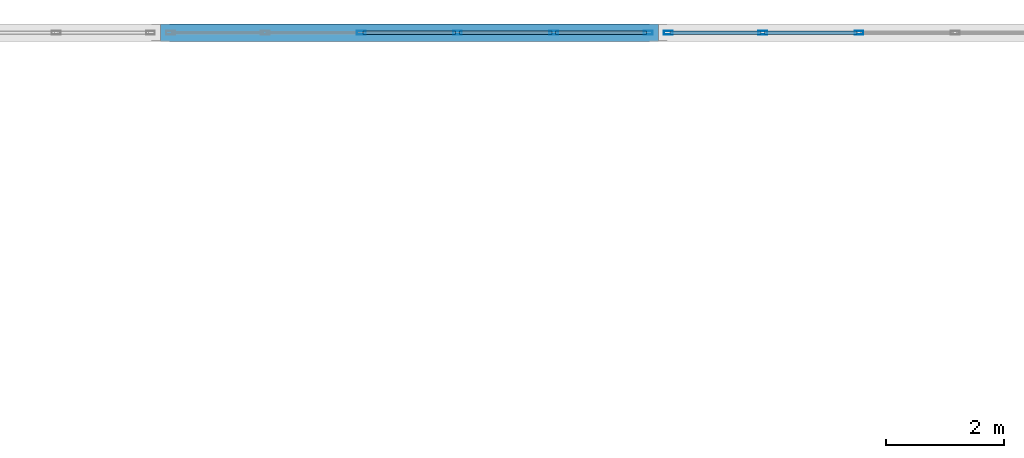
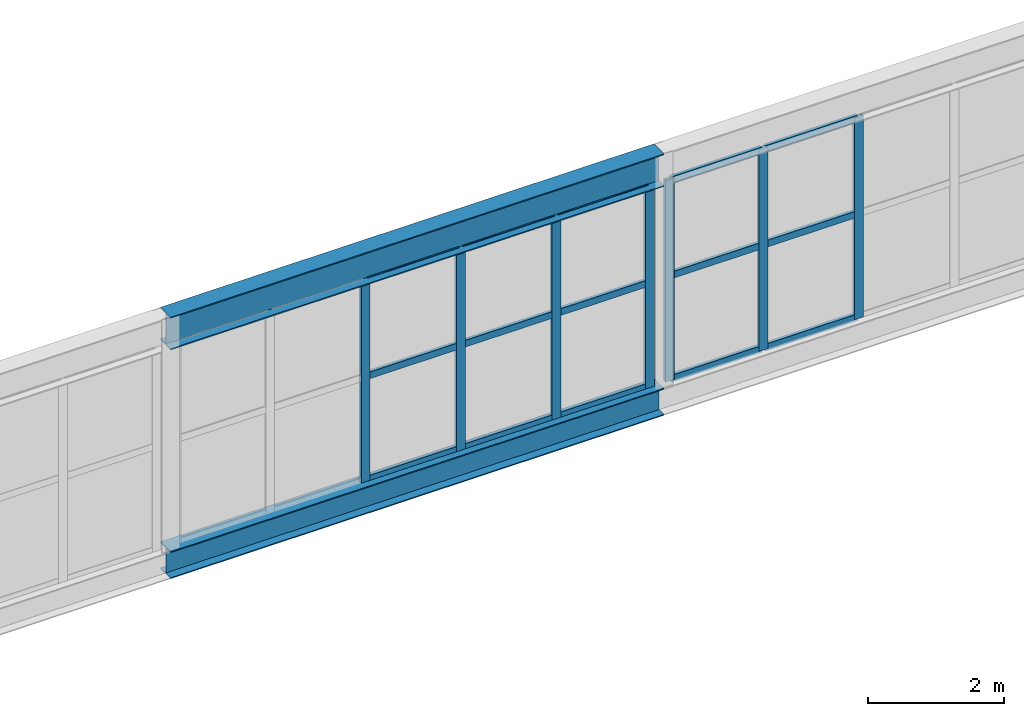
# One storey, part 171 of 218: 22 members, 2 beams, 2 elements without a shape of their own.
"""IFC4 building model written with IfcOpenShell, lengths in metres."""

from ifc_helpers import new_model, si_unit, direction, frame, origin, origin_2d, place, context, subcontext, project, spatial, hollow_rectangle, i_section, extrude, material, material_profile, profile_set, type_object, element, aggregate, save


model = new_model("IFC4")

# Units and contexts
model_context = context("Model", 3, precision=1e-05, world=origin(), true_north=direction((0.0, 1.0)))
body_context = subcontext(model_context, "Body", "Model", "MODEL_VIEW")
ifc_project = project(units=[si_unit("LENGTHUNIT", "METRE"), si_unit("AREAUNIT", "SQUARE_METRE"), si_unit("VOLUMEUNIT", "CUBIC_METRE"), si_unit("PLANEANGLEUNIT", "RADIAN"), si_unit("MASSUNIT", "GRAM", prefix="KILO")], contexts=[model_context])

# Site, building, storey
site_placement = place(None, origin())
site = spatial("IfcSite", under=ifc_project, at=site_placement, CompositionType="ELEMENT")
building_placement = place(site_placement, origin())
building = spatial("IfcBuilding", under=site, at=building_placement, Name="Kazenagashi Tramway Depot", CompositionType="ELEMENT")
storey_placement = place(building_placement, frame((0.0, 0.0, 6.0)))
storey = spatial("IfcBuildingStorey", under=building, at=storey_placement, Name="L02", CompositionType="ELEMENT", Elevation=6.0)

# Curtain wall, members
ifc_material_1 = material(Name="Anodised Aluminium and Low-E Glazing", Category="aluminium")
curtain_wall_type = type_object("IfcCurtainWallType", Name="CW-15", PredefinedType="USERDEFINED", material=ifc_material_1)
curtain_wall_1_placement = place(storey_placement, origin())
curtain_wall_1 = element("IfcCurtainWall", 1, at=curtain_wall_1_placement, inside=storey, type_object=curtain_wall_type, Name="Industrial Glazed Screen CW-15 CW-0081", ObjectType="GLAZED SCREEN", PredefinedType="USERDEFINED")
ifc_material_2 = material(Name="Anodised Aluminium", Category="aluminium")
ifc_material_profile_1 = material_profile(ifc_material_2, hollow_rectangle(XDim=0.06, YDim=0.15, WallThickness=0.004, at=origin_2d()), Name="RHS-150x60x4")
ifc_profile_set_1 = profile_set([ifc_material_profile_1], Name="Anodised Aluminium")
member_type_1 = type_object("IfcMemberType", Name="ML-01", PredefinedType="MULLION", material=ifc_profile_set_1)
member_1_placement = place(storey_placement, frame((140.588, 130.0, -0.02), z_axis=(0.0, 0.0, 1.0), x_axis=(0.0, 1.0, 0.0)))
member_1 = element("IfcMember", 2, at=member_1_placement, type_object=member_type_1, Name="CW-15 mullion 3", PredefinedType="MULLION", context=body_context, shape_type="SweptSolid", body=[
    extrude(hollow_rectangle(XDim=0.06, YDim=0.15, WallThickness=0.004, at=origin_2d()), origin(), (0.0, 0.0, 1.0), 3.632),
])
member_2_placement = place(storey_placement, frame((142.212, 130.0, -0.02), z_axis=(0.0, 0.0, 1.0), x_axis=(0.0, 1.0, 0.0)))
member_2 = element("IfcMember", 3, at=member_2_placement, type_object=member_type_1, Name="CW-15 mullion 4", PredefinedType="MULLION", context=body_context, shape_type="SweptSolid", body=[
    extrude(hollow_rectangle(XDim=0.06, YDim=0.15, WallThickness=0.004, at=origin_2d()), origin(), (0.0, 0.0, 1.0), 3.632),
])
member_3_placement = place(storey_placement, frame((143.836, 130.0, -0.02), z_axis=(0.0, 0.0, 1.0), x_axis=(0.0, 1.0, 0.0)))
member_3 = element("IfcMember", 4, at=member_3_placement, type_object=member_type_1, Name="CW-15 mullion 5", PredefinedType="MULLION", context=body_context, shape_type="SweptSolid", body=[
    extrude(hollow_rectangle(XDim=0.06, YDim=0.15, WallThickness=0.004, at=origin_2d()), origin(), (0.0, 0.0, 1.0), 3.632),
])
member_4_placement = place(storey_placement, frame((145.43, 130.0, -0.02), z_axis=(0.0, 0.0, 1.0), x_axis=(0.0, 1.0, 0.0)))
member_4 = element("IfcMember", 5, at=member_4_placement, type_object=member_type_1, Name="CW-15 mullion 6", PredefinedType="MULLION", context=body_context, shape_type="SweptSolid", body=[
    extrude(hollow_rectangle(XDim=0.06, YDim=0.15, WallThickness=0.004, at=origin_2d()), origin(), (0.0, 0.0, 1.0), 3.632),
])

curtain_wall_2_placement = place(storey_placement, origin())
curtain_wall_2 = element("IfcCurtainWall", 6, at=curtain_wall_2_placement, inside=storey, type_object=curtain_wall_type, Name="Industrial Glazed Screen CW-15 CW-0084", ObjectType="GLAZED SCREEN", PredefinedType="USERDEFINED")
member_5_placement = place(storey_placement, frame((145.77, 130.0, -0.02), z_axis=(0.0, 0.0, 1.0), x_axis=(0.0, 1.0, 0.0)))
member_5 = element("IfcMember", 7, at=member_5_placement, type_object=member_type_1, Name="CW-15 mullion 1", PredefinedType="MULLION", context=body_context, shape_type="SweptSolid", body=[
    extrude(hollow_rectangle(XDim=0.06, YDim=0.15, WallThickness=0.004, at=origin_2d()), origin(), (0.0, 0.0, 1.0), 3.632),
])
member_6_placement = place(storey_placement, frame((147.364, 130.0, -0.02), z_axis=(0.0, 0.0, 1.0), x_axis=(0.0, 1.0, 0.0)))
member_6 = element("IfcMember", 8, at=member_6_placement, type_object=member_type_1, Name="CW-15 mullion 2", PredefinedType="MULLION", context=body_context, shape_type="SweptSolid", body=[
    extrude(hollow_rectangle(XDim=0.06, YDim=0.15, WallThickness=0.004, at=origin_2d()), origin(), (0.0, 0.0, 1.0), 3.632),
])
member_7_placement = place(storey_placement, frame((148.988, 130.0, -0.02), z_axis=(0.0, 0.0, 1.0), x_axis=(0.0, 1.0, 0.0)))
member_7 = element("IfcMember", 9, at=member_7_placement, type_object=member_type_1, Name="CW-15 mullion 3", PredefinedType="MULLION", context=body_context, shape_type="SweptSolid", body=[
    extrude(hollow_rectangle(XDim=0.06, YDim=0.15, WallThickness=0.004, at=origin_2d()), origin(), (0.0, 0.0, 1.0), 3.632),
])

# Beams
ifc_material_3 = material(Name="Steel SN490B", Category="steel")
ifc_material_profile_2 = material_profile(ifc_material_3, i_section(OverallWidth=0.3, OverallDepth=0.588, WebThickness=0.012, FlangeThickness=0.02, at=origin_2d()), Name="H-588x300x12x20")
ifc_profile_set_2 = profile_set([ifc_material_profile_2], Name="Steel SN490B")
beam_type_1 = type_object("IfcBeamType", Name="SP-01", PredefinedType="SPANDREL", material=ifc_profile_set_2)
beam_1_placement = place(storey_placement, frame((137.2, 130.0, 3.906), z_axis=(1.0, 0.0, 0.0), x_axis=(0.0, 1.0, 0.0)))
element("IfcBeam", 10, at=beam_1_placement, inside=storey, type_object=beam_type_1, Name="Beam SP-01 BM-1891", PredefinedType="SPANDREL", context=body_context, shape_type="SweptSolid", body=[
    extrude(i_section(OverallWidth=0.3, OverallDepth=0.588, WebThickness=0.012, FlangeThickness=0.02, at=origin_2d()), origin(), (0.0, 0.0, 1.0), 8.4),
])
ifc_material_profile_3 = material_profile(ifc_material_3, i_section(OverallWidth=0.3, OverallDepth=0.488, WebThickness=0.011, FlangeThickness=0.018, at=origin_2d()), Name="H-488x300x11x18")
ifc_profile_set_3 = profile_set([ifc_material_profile_3], Name="Steel SN490B")
beam_type_2 = type_object("IfcBeamType", Name="SP-02", PredefinedType="SPANDREL", material=ifc_profile_set_3)
beam_2_placement = place(storey_placement, frame((137.2, 130.0, -0.264), z_axis=(1.0, 0.0, 0.0), x_axis=(0.0, 1.0, 0.0)))
element("IfcBeam", 11, at=beam_2_placement, inside=storey, type_object=beam_type_2, Name="Beam SP-02 BM-1835", PredefinedType="SPANDREL", context=body_context, shape_type="SweptSolid", body=[
    extrude(i_section(OverallWidth=0.3, OverallDepth=0.488, WebThickness=0.011, FlangeThickness=0.018, at=origin_2d()), origin(), (0.0, 0.0, 1.0), 8.4),
])

# Member
ifc_material_profile_4 = material_profile(ifc_material_2, hollow_rectangle(XDim=0.06, YDim=0.12, WallThickness=0.004, at=origin_2d()), Name="RHS-120x60x4")
ifc_profile_set_4 = profile_set([ifc_material_profile_4], Name="Anodised Aluminium")
member_type_2 = type_object("IfcMemberType", Name="TR-01", PredefinedType="USERDEFINED", material=ifc_profile_set_4)
member_8_placement = place(storey_placement, frame((140.618, 130.0, 0.01), z_axis=(1.0, 0.0, 0.0), x_axis=(0.0, 1.0, 0.0)))
member_8 = element("IfcMember", 12, at=member_8_placement, type_object=member_type_2, Name="CW-15 transom 3.1", ObjectType="TRANSOM", PredefinedType="USERDEFINED", context=body_context, shape_type="SweptSolid", body=[
    extrude(hollow_rectangle(XDim=0.06, YDim=0.12, WallThickness=0.004, at=origin_2d()), origin(), (0.0, 0.0, 1.0), 1.564),
])

member_9_placement = place(storey_placement, frame((140.618, 130.0, 1.869), z_axis=(1.0, 0.0, 0.0), x_axis=(0.0, 1.0, 0.0)))
member_9 = element("IfcMember", 13, at=member_9_placement, type_object=member_type_2, Name="CW-15 transom 3.2", ObjectType="TRANSOM", PredefinedType="USERDEFINED", context=body_context, shape_type="SweptSolid", body=[
    extrude(hollow_rectangle(XDim=0.06, YDim=0.12, WallThickness=0.004, at=origin_2d()), origin(), (0.0, 0.0, 1.0), 1.564),
])

member_10_placement = place(storey_placement, frame((140.618, 130.0, 3.582), z_axis=(1.0, 0.0, 0.0), x_axis=(0.0, 1.0, 0.0)))
member_10 = element("IfcMember", 14, at=member_10_placement, type_object=member_type_2, Name="CW-15 transom 3.3", ObjectType="TRANSOM", PredefinedType="USERDEFINED", context=body_context, shape_type="SweptSolid", body=[
    extrude(hollow_rectangle(XDim=0.06, YDim=0.12, WallThickness=0.004, at=origin_2d()), origin(), (0.0, 0.0, 1.0), 1.564),
])

member_11_placement = place(storey_placement, frame((142.242, 130.0, 0.01), z_axis=(1.0, 0.0, 0.0), x_axis=(0.0, 1.0, 0.0)))
member_11 = element("IfcMember", 15, at=member_11_placement, type_object=member_type_2, Name="CW-15 transom 4.1", ObjectType="TRANSOM", PredefinedType="USERDEFINED", context=body_context, shape_type="SweptSolid", body=[
    extrude(hollow_rectangle(XDim=0.06, YDim=0.12, WallThickness=0.004, at=origin_2d()), origin(), (0.0, 0.0, 1.0), 1.564),
])

member_12_placement = place(storey_placement, frame((142.242, 130.0, 1.869), z_axis=(1.0, 0.0, 0.0), x_axis=(0.0, 1.0, 0.0)))
member_12 = element("IfcMember", 16, at=member_12_placement, type_object=member_type_2, Name="CW-15 transom 4.2", ObjectType="TRANSOM", PredefinedType="USERDEFINED", context=body_context, shape_type="SweptSolid", body=[
    extrude(hollow_rectangle(XDim=0.06, YDim=0.12, WallThickness=0.004, at=origin_2d()), origin(), (0.0, 0.0, 1.0), 1.564),
])

member_13_placement = place(storey_placement, frame((142.242, 130.0, 3.582), z_axis=(1.0, 0.0, 0.0), x_axis=(0.0, 1.0, 0.0)))
member_13 = element("IfcMember", 17, at=member_13_placement, type_object=member_type_2, Name="CW-15 transom 4.3", ObjectType="TRANSOM", PredefinedType="USERDEFINED", context=body_context, shape_type="SweptSolid", body=[
    extrude(hollow_rectangle(XDim=0.06, YDim=0.12, WallThickness=0.004, at=origin_2d()), origin(), (0.0, 0.0, 1.0), 1.564),
])

member_14_placement = place(storey_placement, frame((143.866, 130.0, 0.01), z_axis=(1.0, 0.0, 0.0), x_axis=(0.0, 1.0, 0.0)))
member_14 = element("IfcMember", 18, at=member_14_placement, type_object=member_type_2, Name="CW-15 transom 5.1", ObjectType="TRANSOM", PredefinedType="USERDEFINED", context=body_context, shape_type="SweptSolid", body=[
    extrude(hollow_rectangle(XDim=0.06, YDim=0.12, WallThickness=0.004, at=origin_2d()), origin(), (0.0, 0.0, 1.0), 1.534),
])

member_15_placement = place(storey_placement, frame((143.866, 130.0, 1.869), z_axis=(1.0, 0.0, 0.0), x_axis=(0.0, 1.0, 0.0)))
member_15 = element("IfcMember", 19, at=member_15_placement, type_object=member_type_2, Name="CW-15 transom 5.2", ObjectType="TRANSOM", PredefinedType="USERDEFINED", context=body_context, shape_type="SweptSolid", body=[
    extrude(hollow_rectangle(XDim=0.06, YDim=0.12, WallThickness=0.004, at=origin_2d()), origin(), (0.0, 0.0, 1.0), 1.534),
])

member_16_placement = place(storey_placement, frame((143.866, 130.0, 3.582), z_axis=(1.0, 0.0, 0.0), x_axis=(0.0, 1.0, 0.0)))
member_16 = element("IfcMember", 20, at=member_16_placement, type_object=member_type_2, Name="CW-15 transom 5.3", ObjectType="TRANSOM", PredefinedType="USERDEFINED", context=body_context, shape_type="SweptSolid", body=[
    extrude(hollow_rectangle(XDim=0.06, YDim=0.12, WallThickness=0.004, at=origin_2d()), origin(), (0.0, 0.0, 1.0), 1.534),
])

aggregate(curtain_wall_1, [member_1, member_2, member_3, member_4, member_8, member_9, member_10, member_11, member_12, member_13, member_14, member_15, member_16])

member_17_placement = place(storey_placement, frame((145.8, 130.0, 0.01), z_axis=(1.0, 0.0, 0.0), x_axis=(0.0, 1.0, 0.0)))
member_17 = element("IfcMember", 21, at=member_17_placement, type_object=member_type_2, Name="CW-15 transom 1.1", ObjectType="TRANSOM", PredefinedType="USERDEFINED", context=body_context, shape_type="SweptSolid", body=[
    extrude(hollow_rectangle(XDim=0.06, YDim=0.12, WallThickness=0.004, at=origin_2d()), origin(), (0.0, 0.0, 1.0), 1.534),
])

member_18_placement = place(storey_placement, frame((145.8, 130.0, 1.869), z_axis=(1.0, 0.0, 0.0), x_axis=(0.0, 1.0, 0.0)))
member_18 = element("IfcMember", 22, at=member_18_placement, type_object=member_type_2, Name="CW-15 transom 1.2", ObjectType="TRANSOM", PredefinedType="USERDEFINED", context=body_context, shape_type="SweptSolid", body=[
    extrude(hollow_rectangle(XDim=0.06, YDim=0.12, WallThickness=0.004, at=origin_2d()), origin(), (0.0, 0.0, 1.0), 1.534),
])

member_19_placement = place(storey_placement, frame((145.8, 130.0, 3.582), z_axis=(1.0, 0.0, 0.0), x_axis=(0.0, 1.0, 0.0)))
member_19 = element("IfcMember", 23, at=member_19_placement, type_object=member_type_2, Name="CW-15 transom 1.3", ObjectType="TRANSOM", PredefinedType="USERDEFINED", context=body_context, shape_type="SweptSolid", body=[
    extrude(hollow_rectangle(XDim=0.06, YDim=0.12, WallThickness=0.004, at=origin_2d()), origin(), (0.0, 0.0, 1.0), 1.534),
])

member_20_placement = place(storey_placement, frame((147.394, 130.0, 0.01), z_axis=(1.0, 0.0, 0.0), x_axis=(0.0, 1.0, 0.0)))
member_20 = element("IfcMember", 24, at=member_20_placement, type_object=member_type_2, Name="CW-15 transom 2.1", ObjectType="TRANSOM", PredefinedType="USERDEFINED", context=body_context, shape_type="SweptSolid", body=[
    extrude(hollow_rectangle(XDim=0.06, YDim=0.12, WallThickness=0.004, at=origin_2d()), origin(), (0.0, 0.0, 1.0), 1.564),
])

member_21_placement = place(storey_placement, frame((147.394, 130.0, 1.869), z_axis=(1.0, 0.0, 0.0), x_axis=(0.0, 1.0, 0.0)))
member_21 = element("IfcMember", 25, at=member_21_placement, type_object=member_type_2, Name="CW-15 transom 2.2", ObjectType="TRANSOM", PredefinedType="USERDEFINED", context=body_context, shape_type="SweptSolid", body=[
    extrude(hollow_rectangle(XDim=0.06, YDim=0.12, WallThickness=0.004, at=origin_2d()), origin(), (0.0, 0.0, 1.0), 1.564),
])

member_22_placement = place(storey_placement, frame((147.394, 130.0, 3.582), z_axis=(1.0, 0.0, 0.0), x_axis=(0.0, 1.0, 0.0)))
member_22 = element("IfcMember", 26, at=member_22_placement, type_object=member_type_2, Name="CW-15 transom 2.3", ObjectType="TRANSOM", PredefinedType="USERDEFINED", context=body_context, shape_type="SweptSolid", body=[
    extrude(hollow_rectangle(XDim=0.06, YDim=0.12, WallThickness=0.004, at=origin_2d()), origin(), (0.0, 0.0, 1.0), 1.564),
])

aggregate(curtain_wall_2, [member_5, member_6, member_7, member_17, member_18, member_19, member_20, member_21, member_22])

save(model, "model.ifc")
